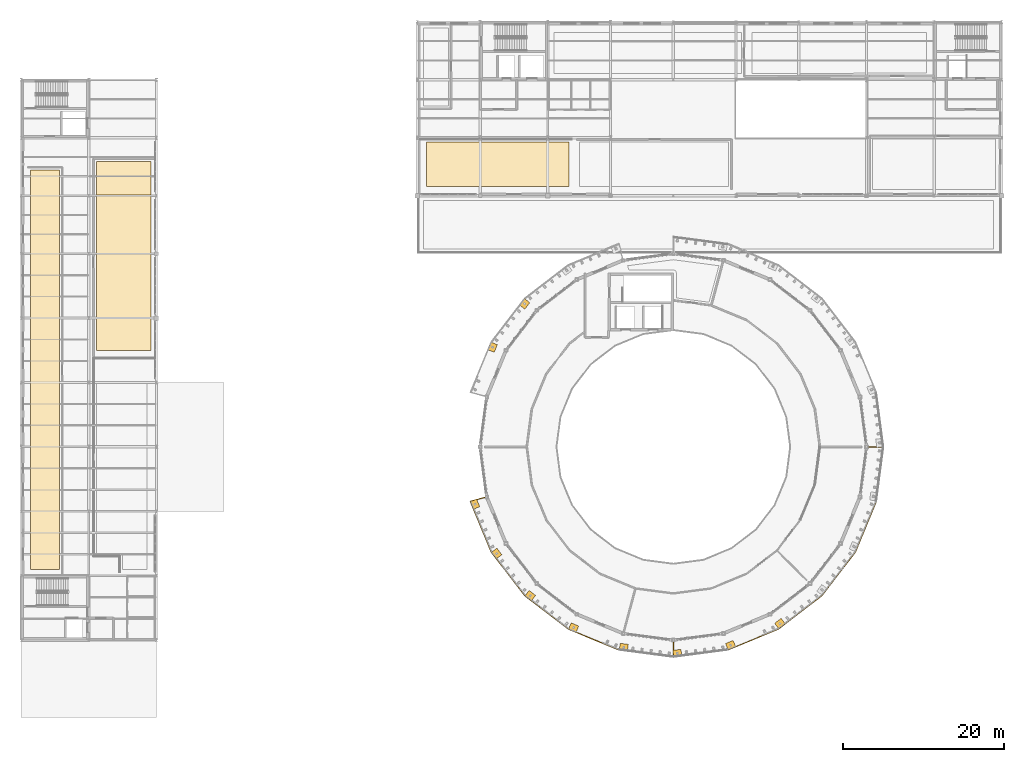
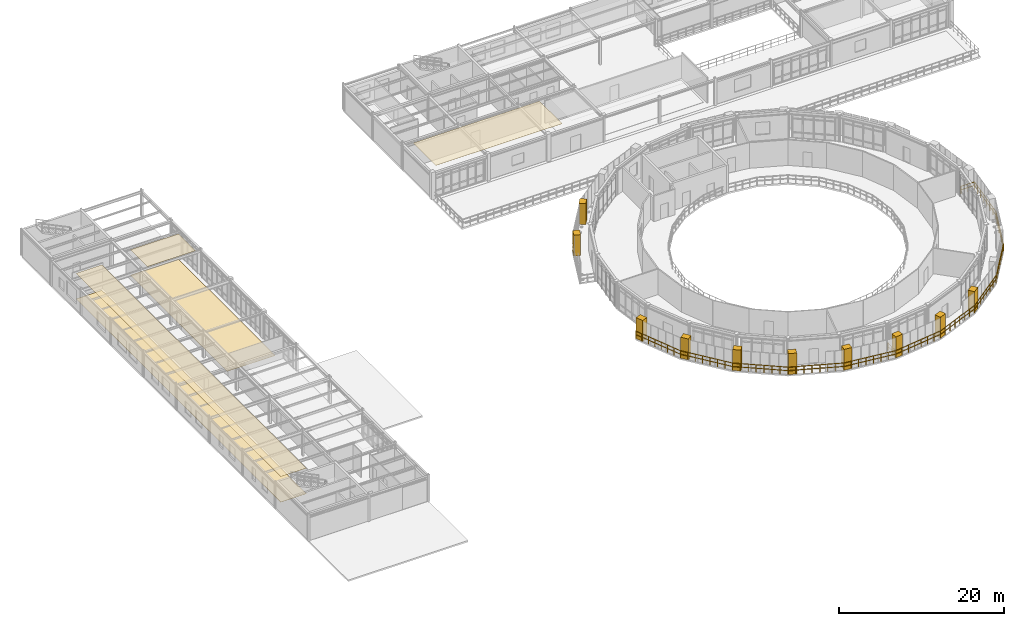
# One storey, part 52 of 58: 10 shading devices, 5 coverings, 2 railings.
"""IFC4 building model written with IfcOpenShell, lengths in metres."""

from ifc_helpers import new_model, si_unit, derived_unit, direction, frame, origin, origin_2d, place, context, subcontext, project, spatial, polyline, rectangle, circle, outline, extrude, material, layer, layer_set, type_object, element, save


model = new_model("IFC4")

# Units and contexts
model_context = context("Model", 3, precision=1e-05, world=origin(), true_north=direction((0.0, 1.0)))
body_context = subcontext(model_context, "Body", "Model", "MODEL_VIEW")
ifc_project = project(units=[si_unit("LENGTHUNIT", "METRE"), si_unit("AREAUNIT", "SQUARE_METRE"), si_unit("VOLUMEUNIT", "CUBIC_METRE"), si_unit("PLANEANGLEUNIT", "RADIAN"), si_unit("MASSUNIT", "GRAM", prefix="KILO"), derived_unit("THERMALTRANSMITTANCEUNIT", [(si_unit("POWERUNIT", "WATT"), 1), (si_unit("AREAUNIT", "SQUARE_METRE"), -1), (si_unit("THERMODYNAMICTEMPERATUREUNIT", "KELVIN"), -1)])], contexts=[model_context])

# Site, building, storey
site_placement = place(None, origin())
site = spatial("IfcSite", under=ifc_project, at=site_placement, CompositionType="ELEMENT")
building_placement = place(site_placement, origin())
building = spatial("IfcBuilding", under=site, at=building_placement, Name="Yasenodar Specialist Clinic", CompositionType="ELEMENT")
storey_placement = place(building_placement, frame((0.0, 0.0, 17.25)))
storey = spatial("IfcBuildingStorey", under=building, at=storey_placement, Name="L04", CompositionType="ELEMENT", Elevation=17.25)

# Coverings
ifc_material_1 = material(Name="Hygienic Acoustic Mineral-Fibre Ceiling")
ifc_layer_1 = layer(ifc_material_1, 0.02490234375)
ifc_layer_set_1 = layer_set([ifc_layer_1], Name="Hygienic Acoustic Mineral-Fibre Ceiling")
covering_type_1 = type_object("IfcCoveringType", Name="COV-CEIL-AC", PredefinedType="CEILING", material=ifc_layer_set_1)
covering_1_placement = place(storey_placement, frame((0.0, 0.0, 3.77490234375)))
element("IfcCovering", 1, at=covering_1_placement, inside=storey, type_object=covering_type_1, Name="L04 Dermatology Outpatient Suite Acoustic Ceiling", PredefinedType="CEILING", context=body_context, shape_type="SweptSolid", body=[
    extrude(outline(polyline([(4.75, 93.199951171875), (4.75, 43.550048828125), (1.14990234375, 43.550048828125), (1.14990234375, 93.199951171875), (4.75, 93.199951171875)])), origin(), (0.0, 0.0, 1.0), 0.025146484375),
])
covering_2_placement = place(storey_placement, frame((0.0, 0.0, 3.77490234375)))
element("IfcCovering", 2, at=covering_2_placement, inside=storey, type_object=covering_type_1, Name="L04 Women's Health Consulting Suite Acoustic Ceiling", PredefinedType="CEILING", context=body_context, shape_type="SweptSolid", body=[
    extrude(outline(polyline([(16.10009765625, 94.25), (16.10009765625, 90.10009765625), (9.35009765625, 90.10009765625), (9.35009765625, 94.25), (16.10009765625, 94.25)])), origin(), (0.0, 0.0, 1.0), 0.025146484375),
])
covering_3_placement = place(storey_placement, frame((0.0, 0.0, 3.764892578125)))
element("IfcCovering", 3, at=covering_3_placement, inside=storey, type_object=covering_type_1, Name="L04 Flow Cytometry Immunology Laboratory Acoustic Ceiling", PredefinedType="CEILING", context=body_context, shape_type="SweptSolid", body=[
    extrude(outline(polyline([(68.050048828125, 91.14990234375), (50.35009765625, 91.14990234375), (50.35009765625, 96.64990234375), (68.050048828125, 96.64990234375), (68.050048828125, 91.14990234375)])), origin(), (0.0, 0.0, 1.0), 0.025146484375),
])
ifc_material_2 = material(Name="Seamless Epoxy Terrazzo Clinical Flooring")
ifc_layer_2 = layer(ifc_material_2, 0.02001953125)
ifc_layer_set_2 = layer_set([ifc_layer_2], Name="Seamless Epoxy Terrazzo Clinical Flooring")
covering_type_2 = type_object("IfcCoveringType", Name="COV-FLR-TERR", PredefinedType="FLOORING", material=ifc_layer_set_2)
covering_4_placement = place(storey_placement, origin())
element("IfcCovering", 4, at=covering_4_placement, inside=storey, type_object=covering_type_2, Name="L04 Dermatology Outpatient Suite Terrazzo Flooring", PredefinedType="FLOORING", context=body_context, shape_type="SweptSolid", body=[
    extrude(outline(polyline([(4.75, 93.199951171875), (4.75, 43.550048828125), (1.14990234375, 43.550048828125), (1.14990234375, 93.199951171875), (4.75, 93.199951171875)])), origin(), (0.0, 0.0, 1.0), 0.02001953125),
])
covering_5_placement = place(storey_placement, origin())
element("IfcCovering", 5, at=covering_5_placement, inside=storey, type_object=covering_type_2, Name="L04 Women's Health Consulting Suite Terrazzo Flooring", PredefinedType="FLOORING", context=body_context, shape_type="SweptSolid", body=[
    extrude(outline(polyline([(16.10009765625, 94.25), (16.10009765625, 70.75), (9.35009765625, 70.75), (9.35009765625, 94.25), (16.10009765625, 94.25)])), origin(), (0.0, 0.0, 1.0), 0.02001953125),
])

# Railings
ifc_material_3 = material(Name="Bronze Anodized Aluminium and Larch Balustrade", Category="aluminium")
railing_type = type_object("IfcRailingType", Name="RL-BAL-1120", PredefinedType="BALUSTRADE", material=ifc_material_3)
railing_1_placement = place(storey_placement, frame((57.605224609375, 52.531494140625, 0.0)))
element("IfcRailing", 6, at=railing_1_placement, inside=storey, type_object=railing_type, Name="L04 Drum V1 Balcony Balustrade 3", PredefinedType="BALUSTRADE", context=body_context, shape_type="SweptSolid", body=[
    extrude(circle(Radius=0.02392578125, at=origin_2d()), frame((0.0, 0.0, 1.09619140625), z_axis=(-0.965899289485, -0.258918061502, 0.0), x_axis=(0.258918061502, -0.965899289485, 0.0)), (0.0, 0.0, 1.0), 1.89990234375),
    extrude(circle(Radius=0.02392578125, at=origin_2d()), frame((0.0, 0.0, 0.58251953125), z_axis=(-0.965899289485, -0.258918061502, 0.0), x_axis=(0.258918061502, -0.965899289485, 0.0)), (0.0, 0.0, 1.0), 1.89990234375),
    extrude(circle(Radius=0.02392578125, at=origin_2d()), frame((-1.835205078125, -0.491943359375, 1.09619140625), z_axis=(0.382684882513, -0.923878931839, 0.0), x_axis=(0.923878931839, 0.382684882513, 0.0)), (0.0, 0.0, 1.0), 6.818603515625),
    extrude(circle(Radius=0.02392578125, at=origin_2d()), frame((-1.835205078125, -0.491943359375, 0.58251953125), z_axis=(0.382684882513, -0.923878931839, 0.0), x_axis=(0.923878931839, 0.382684882513, 0.0)), (0.0, 0.0, 1.0), 6.818603515625),
    extrude(circle(Radius=0.02392578125, at=origin_2d()), frame((0.774169921875, -6.79150390625, 1.09619140625), z_axis=(0.608774242529, -0.793343507967, 0.0), x_axis=(0.793343507967, 0.608774242529, 0.0)), (0.0, 0.0, 1.0), 6.81884765625),
    extrude(circle(Radius=0.02392578125, at=origin_2d()), frame((0.774169921875, -6.79150390625, 0.58251953125), z_axis=(0.608774242529, -0.793343507967, 0.0), x_axis=(0.793343507967, 0.608774242529, 0.0)), (0.0, 0.0, 1.0), 6.81884765625),
    extrude(circle(Radius=0.02392578125, at=origin_2d()), frame((4.92529296875, -12.201171875, 1.09619140625), z_axis=(0.793347531118, -0.608768999597, 0.0), x_axis=(0.608768999597, 0.793347531118, 0.0)), (0.0, 0.0, 1.0), 6.818359375),
    extrude(circle(Radius=0.02392578125, at=origin_2d()), frame((4.92529296875, -12.201171875, 0.58251953125), z_axis=(0.793347531118, -0.608768999597, 0.0), x_axis=(0.608768999597, 0.793347531118, 0.0)), (0.0, 0.0, 1.0), 6.818359375),
    extrude(circle(Radius=0.02392578125, at=origin_2d()), frame((10.334716796875, -16.35205078125, 1.09619140625), z_axis=(0.923878931839, -0.382684882513, 0.0), x_axis=(0.382684882513, 0.923878931839, 0.0)), (0.0, 0.0, 1.0), 6.818603515625),
    extrude(circle(Radius=0.02392578125, at=origin_2d()), frame((10.334716796875, -16.35205078125, 0.58251953125), z_axis=(0.923878931839, -0.382684882513, 0.0), x_axis=(0.382684882513, 0.923878931839, 0.0)), (0.0, 0.0, 1.0), 6.818603515625),
    extrude(circle(Radius=0.02392578125, at=origin_2d()), frame((16.63427734375, -18.96142578125, 1.09619140625), z_axis=(0.9914429584, -0.130540645926, 0.0), x_axis=(0.130540645926, 0.9914429584, 0.0)), (0.0, 0.0, 1.0), 6.81884765625),
    extrude(circle(Radius=0.02392578125, at=origin_2d()), frame((16.63427734375, -18.96142578125, 0.58251953125), z_axis=(0.9914429584, -0.130540645926, 0.0), x_axis=(0.130540645926, 0.9914429584, 0.0)), (0.0, 0.0, 1.0), 6.81884765625),
    extrude(circle(Radius=0.02392578125, at=origin_2d()), frame((23.394775390625, -19.8515625, 1.09619140625), z_axis=(0.0, 1.0, 0.0), x_axis=(-1.0, 0.0, 0.0)), (0.0, 0.0, 1.0), 1.900146484375),
    extrude(circle(Radius=0.02392578125, at=origin_2d()), frame((23.394775390625, -19.8515625, 0.58251953125), z_axis=(0.0, 1.0, 0.0), x_axis=(-1.0, 0.0, 0.0)), (0.0, 0.0, 1.0), 1.900146484375),
    extrude(circle(Radius=0.02099609375, at=origin_2d()), origin(), (0.0, 0.0, 1.0), 1.072021484375),
    extrude(circle(Radius=0.02099609375, at=origin_2d()), frame((-0.91748046875, -0.24609375, 0.0)), (0.0, 0.0, 1.0), 1.072021484375),
    extrude(circle(Radius=0.02099609375, at=origin_2d()), frame((-1.835205078125, -0.491943359375, 0.0)), (0.0, 0.0, 1.0), 1.072021484375),
    extrude(circle(Radius=0.02099609375, at=origin_2d()), frame((-1.46240234375, -1.391845703125, 0.0)), (0.0, 0.0, 1.0), 1.072021484375),
    extrude(circle(Radius=0.02099609375, at=origin_2d()), frame((-1.089599609375, -2.291748046875, 0.0)), (0.0, 0.0, 1.0), 1.072021484375),
    extrude(circle(Radius=0.02099609375, at=origin_2d()), frame((-0.716796875, -3.191650390625, 0.0)), (0.0, 0.0, 1.0), 1.072021484375),
    extrude(circle(Radius=0.02099609375, at=origin_2d()), frame((-0.34423828125, -4.091796875, 0.0)), (0.0, 0.0, 1.0), 1.072021484375),
    extrude(circle(Radius=0.02099609375, at=origin_2d()), frame((0.028564453125, -4.99169921875, 0.0)), (0.0, 0.0, 1.0), 1.072021484375),
    extrude(circle(Radius=0.02099609375, at=origin_2d()), frame((0.4013671875, -5.8916015625, 0.0)), (0.0, 0.0, 1.0), 1.072021484375),
    extrude(circle(Radius=0.02099609375, at=origin_2d()), frame((0.774169921875, -6.79150390625, 0.0)), (0.0, 0.0, 1.0), 1.072021484375),
    extrude(circle(Radius=0.02099609375, at=origin_2d()), frame((1.3671875, -7.564208984375, 0.0)), (0.0, 0.0, 1.0), 1.072021484375),
    extrude(circle(Radius=0.02099609375, at=origin_2d()), frame((1.960205078125, -8.337158203125, 0.0)), (0.0, 0.0, 1.0), 1.072021484375),
    extrude(circle(Radius=0.02099609375, at=origin_2d()), frame((2.55322265625, -9.10986328125, 0.0)), (0.0, 0.0, 1.0), 1.072021484375),
    extrude(circle(Radius=0.02099609375, at=origin_2d()), frame((3.146240234375, -9.8828125, 0.0)), (0.0, 0.0, 1.0), 1.072021484375),
    extrude(circle(Radius=0.02099609375, at=origin_2d()), frame((3.7392578125, -10.655517578125, 0.0)), (0.0, 0.0, 1.0), 1.072021484375),
    extrude(circle(Radius=0.02099609375, at=origin_2d()), frame((4.332275390625, -11.428466796875, 0.0)), (0.0, 0.0, 1.0), 1.072021484375),
    extrude(circle(Radius=0.02099609375, at=origin_2d()), frame((4.92529296875, -12.201171875, 0.0)), (0.0, 0.0, 1.0), 1.072021484375),
    extrude(circle(Radius=0.02099609375, at=origin_2d()), frame((5.697998046875, -12.794189453125, 0.0)), (0.0, 0.0, 1.0), 1.072021484375),
    extrude(circle(Radius=0.02099609375, at=origin_2d()), frame((6.470947265625, -13.38720703125, 0.0)), (0.0, 0.0, 1.0), 1.072021484375),
    extrude(circle(Radius=0.02099609375, at=origin_2d()), frame((7.24365234375, -13.980224609375, 0.0)), (0.0, 0.0, 1.0), 1.072021484375),
    extrude(circle(Radius=0.02099609375, at=origin_2d()), frame((8.016357421875, -14.572998046875, 0.0)), (0.0, 0.0, 1.0), 1.072021484375),
    extrude(circle(Radius=0.02099609375, at=origin_2d()), frame((8.7890625, -15.166015625, 0.0)), (0.0, 0.0, 1.0), 1.072021484375),
    extrude(circle(Radius=0.02099609375, at=origin_2d()), frame((9.56201171875, -15.759033203125, 0.0)), (0.0, 0.0, 1.0), 1.072021484375),
    extrude(circle(Radius=0.02099609375, at=origin_2d()), frame((10.334716796875, -16.35205078125, 0.0)), (0.0, 0.0, 1.0), 1.072021484375),
    extrude(circle(Radius=0.02099609375, at=origin_2d()), frame((11.234619140625, -16.724853515625, 0.0)), (0.0, 0.0, 1.0), 1.072021484375),
    extrude(circle(Radius=0.02099609375, at=origin_2d()), frame((12.134521484375, -17.09765625, 0.0)), (0.0, 0.0, 1.0), 1.072021484375),
    extrude(circle(Radius=0.02099609375, at=origin_2d()), frame((13.034423828125, -17.470458984375, 0.0)), (0.0, 0.0, 1.0), 1.072021484375),
    extrude(circle(Radius=0.02099609375, at=origin_2d()), frame((13.9345703125, -17.843017578125, 0.0)), (0.0, 0.0, 1.0), 1.072021484375),
    extrude(circle(Radius=0.02099609375, at=origin_2d()), frame((14.83447265625, -18.2158203125, 0.0)), (0.0, 0.0, 1.0), 1.072021484375),
    extrude(circle(Radius=0.02099609375, at=origin_2d()), frame((15.734375, -18.588623046875, 0.0)), (0.0, 0.0, 1.0), 1.072021484375),
    extrude(circle(Radius=0.02099609375, at=origin_2d()), frame((16.63427734375, -18.96142578125, 0.0)), (0.0, 0.0, 1.0), 1.072021484375),
    extrude(circle(Radius=0.02099609375, at=origin_2d()), frame((17.60009765625, -19.088623046875, 0.0)), (0.0, 0.0, 1.0), 1.072021484375),
    extrude(circle(Radius=0.02099609375, at=origin_2d()), frame((18.56591796875, -19.2158203125, 0.0)), (0.0, 0.0, 1.0), 1.072021484375),
    extrude(circle(Radius=0.02099609375, at=origin_2d()), frame((19.53173828125, -19.343017578125, 0.0)), (0.0, 0.0, 1.0), 1.072021484375),
    extrude(circle(Radius=0.02099609375, at=origin_2d()), frame((20.497314453125, -19.469970703125, 0.0)), (0.0, 0.0, 1.0), 1.072021484375),
    extrude(circle(Radius=0.02099609375, at=origin_2d()), frame((21.463134765625, -19.59716796875, 0.0)), (0.0, 0.0, 1.0), 1.072021484375),
    extrude(circle(Radius=0.02099609375, at=origin_2d()), frame((22.428955078125, -19.724365234375, 0.0)), (0.0, 0.0, 1.0), 1.072021484375),
    extrude(circle(Radius=0.02099609375, at=origin_2d()), frame((23.394775390625, -19.8515625, 0.0)), (0.0, 0.0, 1.0), 1.072021484375),
    extrude(circle(Radius=0.02099609375, at=origin_2d()), frame((23.394775390625, -18.9013671875, 0.0)), (0.0, 0.0, 1.0), 1.072021484375),
    extrude(circle(Radius=0.02099609375, at=origin_2d()), frame((23.394775390625, -17.951416015625, 0.0)), (0.0, 0.0, 1.0), 1.072021484375),
])
railing_2_placement = place(storey_placement, frame((81.0, 34.580078125, 0.0)))
element("IfcRailing", 7, at=railing_2_placement, inside=storey, type_object=railing_type, Name="L04 Drum V1 Balcony Balustrade 4", PredefinedType="BALUSTRADE", context=body_context, shape_type="SweptSolid", body=[
    extrude(circle(Radius=0.02392578125, at=origin_2d()), frame((0.0, 0.0, 1.09619140625), z_axis=(0.0, -1.0, 0.0), x_axis=(1.0, 0.0, 0.0)), (0.0, 0.0, 1.0), 1.900146484375),
    extrude(circle(Radius=0.02392578125, at=origin_2d()), frame((0.0, 0.0, 0.58251953125), z_axis=(0.0, -1.0, 0.0), x_axis=(1.0, 0.0, 0.0)), (0.0, 0.0, 1.0), 1.900146484375),
    extrude(circle(Radius=0.02392578125, at=origin_2d()), frame((0.0, -1.900146484375, 1.09619140625), z_axis=(0.9914429584, 0.130540645926, 0.0), x_axis=(-0.130540645926, 0.9914429584, 0.0)), (0.0, 0.0, 1.0), 6.81884765625),
    extrude(circle(Radius=0.02392578125, at=origin_2d()), frame((0.0, -1.900146484375, 0.58251953125), z_axis=(0.9914429584, 0.130540645926, 0.0), x_axis=(-0.130540645926, 0.9914429584, 0.0)), (0.0, 0.0, 1.0), 6.81884765625),
    extrude(circle(Radius=0.02392578125, at=origin_2d()), frame((6.760498046875, -1.010009765625, 1.09619140625), z_axis=(0.923878931839, 0.382684882513, 0.0), x_axis=(-0.382684882513, 0.923878931839, 0.0)), (0.0, 0.0, 1.0), 6.818603515625),
    extrude(circle(Radius=0.02392578125, at=origin_2d()), frame((6.760498046875, -1.010009765625, 0.58251953125), z_axis=(0.923878931839, 0.382684882513, 0.0), x_axis=(-0.382684882513, 0.923878931839, 0.0)), (0.0, 0.0, 1.0), 6.818603515625),
    extrude(circle(Radius=0.02392578125, at=origin_2d()), frame((13.06005859375, 1.599365234375, 1.09619140625), z_axis=(0.793347531118, 0.608768999597, 0.0), x_axis=(-0.608768999597, 0.793347531118, 0.0)), (0.0, 0.0, 1.0), 6.818359375),
    extrude(circle(Radius=0.02392578125, at=origin_2d()), frame((13.06005859375, 1.599365234375, 0.58251953125), z_axis=(0.793347531118, 0.608768999597, 0.0), x_axis=(-0.608768999597, 0.793347531118, 0.0)), (0.0, 0.0, 1.0), 6.818359375),
    extrude(circle(Radius=0.02392578125, at=origin_2d()), frame((18.469482421875, 5.750244140625, 1.09619140625), z_axis=(0.608774242529, 0.793343507967, 0.0), x_axis=(-0.793343507967, 0.608774242529, 0.0)), (0.0, 0.0, 1.0), 6.81884765625),
    extrude(circle(Radius=0.02392578125, at=origin_2d()), frame((18.469482421875, 5.750244140625, 0.58251953125), z_axis=(0.608774242529, 0.793343507967, 0.0), x_axis=(-0.793343507967, 0.608774242529, 0.0)), (0.0, 0.0, 1.0), 6.81884765625),
    extrude(circle(Radius=0.02392578125, at=origin_2d()), frame((22.62060546875, 11.159912109375, 1.09619140625), z_axis=(0.382684882513, 0.923878931839, 0.0), x_axis=(-0.923878931839, 0.382684882513, 0.0)), (0.0, 0.0, 1.0), 6.818603515625),
    extrude(circle(Radius=0.02392578125, at=origin_2d()), frame((22.62060546875, 11.159912109375, 0.58251953125), z_axis=(0.382684882513, 0.923878931839, 0.0), x_axis=(-0.923878931839, 0.382684882513, 0.0)), (0.0, 0.0, 1.0), 6.818603515625),
    extrude(circle(Radius=0.02392578125, at=origin_2d()), frame((25.22998046875, 17.45947265625, 1.09619140625), z_axis=(0.130540645926, 0.9914429584, 0.0), x_axis=(-0.9914429584, 0.130540645926, 0.0)), (0.0, 0.0, 1.0), 6.81884765625),
    extrude(circle(Radius=0.02392578125, at=origin_2d()), frame((25.22998046875, 17.45947265625, 0.58251953125), z_axis=(0.130540645926, 0.9914429584, 0.0), x_axis=(-0.9914429584, 0.130540645926, 0.0)), (0.0, 0.0, 1.0), 6.81884765625),
    extrude(circle(Radius=0.02392578125, at=origin_2d()), frame((26.1201171875, 24.219970703125, 1.09619140625), z_axis=(-1.0, 0.0, 0.0), x_axis=(0.0, -1.0, 0.0)), (0.0, 0.0, 1.0), 1.900146484375),
    extrude(circle(Radius=0.02392578125, at=origin_2d()), frame((26.1201171875, 24.219970703125, 0.58251953125), z_axis=(-1.0, 0.0, 0.0), x_axis=(0.0, -1.0, 0.0)), (0.0, 0.0, 1.0), 1.900146484375),
    extrude(circle(Radius=0.02099609375, at=origin_2d()), origin(), (0.0, 0.0, 1.0), 1.072021484375),
    extrude(circle(Radius=0.02099609375, at=origin_2d()), frame((0.0, -0.9501953125, 0.0)), (0.0, 0.0, 1.0), 1.072021484375),
    extrude(circle(Radius=0.02099609375, at=origin_2d()), frame((0.0, -1.900146484375, 0.0)), (0.0, 0.0, 1.0), 1.072021484375),
    extrude(circle(Radius=0.02099609375, at=origin_2d()), frame((0.9658203125, -1.77294921875, 0.0)), (0.0, 0.0, 1.0), 1.072021484375),
    extrude(circle(Radius=0.02099609375, at=origin_2d()), frame((1.931640625, -1.645751953125, 0.0)), (0.0, 0.0, 1.0), 1.072021484375),
    extrude(circle(Radius=0.02099609375, at=origin_2d()), frame((2.8974609375, -1.5185546875, 0.0)), (0.0, 0.0, 1.0), 1.072021484375),
    extrude(circle(Radius=0.02099609375, at=origin_2d()), frame((3.863037109375, -1.3916015625, 0.0)), (0.0, 0.0, 1.0), 1.072021484375),
    extrude(circle(Radius=0.02099609375, at=origin_2d()), frame((4.828857421875, -1.264404296875, 0.0)), (0.0, 0.0, 1.0), 1.072021484375),
    extrude(circle(Radius=0.02099609375, at=origin_2d()), frame((5.794677734375, -1.13720703125, 0.0)), (0.0, 0.0, 1.0), 1.072021484375),
    extrude(circle(Radius=0.02099609375, at=origin_2d()), frame((6.760498046875, -1.010009765625, 0.0)), (0.0, 0.0, 1.0), 1.072021484375),
    extrude(circle(Radius=0.02099609375, at=origin_2d()), frame((7.660400390625, -0.63720703125, 0.0)), (0.0, 0.0, 1.0), 1.072021484375),
    extrude(circle(Radius=0.02099609375, at=origin_2d()), frame((8.560302734375, -0.264404296875, 0.0)), (0.0, 0.0, 1.0), 1.072021484375),
    extrude(circle(Radius=0.02099609375, at=origin_2d()), frame((9.460205078125, 0.1083984375, 0.0)), (0.0, 0.0, 1.0), 1.072021484375),
    extrude(circle(Radius=0.02099609375, at=origin_2d()), frame((10.3603515625, 0.48095703125, 0.0)), (0.0, 0.0, 1.0), 1.072021484375),
    extrude(circle(Radius=0.02099609375, at=origin_2d()), frame((11.26025390625, 0.853759765625, 0.0)), (0.0, 0.0, 1.0), 1.072021484375),
    extrude(circle(Radius=0.02099609375, at=origin_2d()), frame((12.16015625, 1.2265625, 0.0)), (0.0, 0.0, 1.0), 1.072021484375),
    extrude(circle(Radius=0.02099609375, at=origin_2d()), frame((13.06005859375, 1.599365234375, 0.0)), (0.0, 0.0, 1.0), 1.072021484375),
    extrude(circle(Radius=0.02099609375, at=origin_2d()), frame((13.832763671875, 2.1923828125, 0.0)), (0.0, 0.0, 1.0), 1.072021484375),
    extrude(circle(Radius=0.02099609375, at=origin_2d()), frame((14.605712890625, 2.785400390625, 0.0)), (0.0, 0.0, 1.0), 1.072021484375),
    extrude(circle(Radius=0.02099609375, at=origin_2d()), frame((15.37841796875, 3.37841796875, 0.0)), (0.0, 0.0, 1.0), 1.072021484375),
    extrude(circle(Radius=0.02099609375, at=origin_2d()), frame((16.151123046875, 3.97119140625, 0.0)), (0.0, 0.0, 1.0), 1.072021484375),
    extrude(circle(Radius=0.02099609375, at=origin_2d()), frame((16.923828125, 4.564208984375, 0.0)), (0.0, 0.0, 1.0), 1.072021484375),
    extrude(circle(Radius=0.02099609375, at=origin_2d()), frame((17.69677734375, 5.1572265625, 0.0)), (0.0, 0.0, 1.0), 1.072021484375),
    extrude(circle(Radius=0.02099609375, at=origin_2d()), frame((18.469482421875, 5.750244140625, 0.0)), (0.0, 0.0, 1.0), 1.072021484375),
    extrude(circle(Radius=0.02099609375, at=origin_2d()), frame((19.0625, 6.52294921875, 0.0)), (0.0, 0.0, 1.0), 1.072021484375),
    extrude(circle(Radius=0.02099609375, at=origin_2d()), frame((19.655517578125, 7.2958984375, 0.0)), (0.0, 0.0, 1.0), 1.072021484375),
    extrude(circle(Radius=0.02099609375, at=origin_2d()), frame((20.24853515625, 8.068603515625, 0.0)), (0.0, 0.0, 1.0), 1.072021484375),
    extrude(circle(Radius=0.02099609375, at=origin_2d()), frame((20.841552734375, 8.841552734375, 0.0)), (0.0, 0.0, 1.0), 1.072021484375),
    extrude(circle(Radius=0.02099609375, at=origin_2d()), frame((21.4345703125, 9.6142578125, 0.0)), (0.0, 0.0, 1.0), 1.072021484375),
    extrude(circle(Radius=0.02099609375, at=origin_2d()), frame((22.027587890625, 10.38720703125, 0.0)), (0.0, 0.0, 1.0), 1.072021484375),
    extrude(circle(Radius=0.02099609375, at=origin_2d()), frame((22.62060546875, 11.159912109375, 0.0)), (0.0, 0.0, 1.0), 1.072021484375),
    extrude(circle(Radius=0.02099609375, at=origin_2d()), frame((22.993408203125, 12.059814453125, 0.0)), (0.0, 0.0, 1.0), 1.072021484375),
    extrude(circle(Radius=0.02099609375, at=origin_2d()), frame((23.3662109375, 12.959716796875, 0.0)), (0.0, 0.0, 1.0), 1.072021484375),
    extrude(circle(Radius=0.02099609375, at=origin_2d()), frame((23.739013671875, 13.859619140625, 0.0)), (0.0, 0.0, 1.0), 1.072021484375),
    extrude(circle(Radius=0.02099609375, at=origin_2d()), frame((24.111572265625, 14.759765625, 0.0)), (0.0, 0.0, 1.0), 1.072021484375),
    extrude(circle(Radius=0.02099609375, at=origin_2d()), frame((24.484375, 15.65966796875, 0.0)), (0.0, 0.0, 1.0), 1.072021484375),
    extrude(circle(Radius=0.02099609375, at=origin_2d()), frame((24.857177734375, 16.5595703125, 0.0)), (0.0, 0.0, 1.0), 1.072021484375),
    extrude(circle(Radius=0.02099609375, at=origin_2d()), frame((25.22998046875, 17.45947265625, 0.0)), (0.0, 0.0, 1.0), 1.072021484375),
    extrude(circle(Radius=0.02099609375, at=origin_2d()), frame((25.357177734375, 18.42529296875, 0.0)), (0.0, 0.0, 1.0), 1.072021484375),
    extrude(circle(Radius=0.02099609375, at=origin_2d()), frame((25.484375, 19.39111328125, 0.0)), (0.0, 0.0, 1.0), 1.072021484375),
    extrude(circle(Radius=0.02099609375, at=origin_2d()), frame((25.611572265625, 20.35693359375, 0.0)), (0.0, 0.0, 1.0), 1.072021484375),
    extrude(circle(Radius=0.02099609375, at=origin_2d()), frame((25.738525390625, 21.322509765625, 0.0)), (0.0, 0.0, 1.0), 1.072021484375),
    extrude(circle(Radius=0.02099609375, at=origin_2d()), frame((25.86572265625, 22.288330078125, 0.0)), (0.0, 0.0, 1.0), 1.072021484375),
    extrude(circle(Radius=0.02099609375, at=origin_2d()), frame((25.992919921875, 23.254150390625, 0.0)), (0.0, 0.0, 1.0), 1.072021484375),
    extrude(circle(Radius=0.02099609375, at=origin_2d()), frame((26.1201171875, 24.219970703125, 0.0)), (0.0, 0.0, 1.0), 1.072021484375),
    extrude(circle(Radius=0.02099609375, at=origin_2d()), frame((25.169921875, 24.219970703125, 0.0)), (0.0, 0.0, 1.0), 1.072021484375),
    extrude(circle(Radius=0.02099609375, at=origin_2d()), frame((24.219970703125, 24.219970703125, 0.0)), (0.0, 0.0, 1.0), 1.072021484375),
])

# Shading devices
ifc_material_4 = material(Name="Thermally Modified Larch and Bronze Girih Jali Shutter")
shading_device_type = type_object("IfcShadingDeviceType", Name="SHD-JALI-850", PredefinedType="SHUTTER", material=ifc_material_4)
for number, where, z_axis, x_axis, name in (
    (8, (62.5234375, 76.569580078125, -0.005126953125), (0.0, 0.0, 1.0), (-0.608764217148, -0.793351200869, 0.0), "L04 Mughal Girih Jali Sliding Shutter Frame 0376"),
    (9, (58.553955078125, 71.18212890625, -0.005126953125), (0.0, 0.0, 1.0), (-0.382686667195, -0.923878192594, 0.0), "L04 Mughal Girih Jali Sliding Shutter Frame 0382"),
    (10, (56.372802734375, 51.68359375, -0.005126953125), (0.0, 0.0, 1.0), (0.382686667195, -0.923878192594, 0.0), "L04 Mughal Girih Jali Sliding Shutter Frame 0385"),
    (11, (59.0537109375, 45.55224609375, -0.005126953125), (0.0, 0.0, 1.0), (0.608764217148, -0.793351200869, 0.0), "L04 Mughal Girih Jali Sliding Shutter Frame 0391"),
    (12, (63.23046875, 40.323486328125, -0.005126953125), (0.0, 0.0, 1.0), (0.793351200869, -0.608764217148, 0.0), "L04 Mughal Girih Jali Sliding Shutter Frame 0397"),
    (13, (68.617919921875, 36.35400390625, -0.005126953125), (0.0, 0.0, 1.0), (0.923878192594, -0.382686667195, 0.0), "L04 Mughal Girih Jali Sliding Shutter Frame 0403"),
    (14, (74.849365234375, 33.9140625, -0.005126953125), (0.0, 0.0, 1.0), (0.991445783754, -0.130519185854, 0.0), "L04 Mughal Girih Jali Sliding Shutter Frame 0406"),
    (15, (81.499755859375, 33.170166015625, -0.005126953125), (0.0, 0.0, 1.0), (0.991445783754, 0.130519185854, 0.0), "L04 Mughal Girih Jali Sliding Shutter Frame 0412"),
    (16, (88.1162109375, 34.1728515625, -0.005126953125), (0.0, 0.0, 1.0), (0.923878192594, 0.382686667195, 0.0), "L04 Mughal Girih Jali Sliding Shutter Frame 0418"),
    (17, (94.247802734375, 36.853759765625, -0.005126953125), (0.0, 0.0, 1.0), (0.793351200869, 0.608764217148, 0.0), "L04 Mughal Girih Jali Sliding Shutter Frame 0421"),
):
    element("IfcShadingDevice", number, at=place(storey_placement, frame(where, z_axis=z_axis, x_axis=x_axis)), inside=storey, type_object=shading_device_type, Name=name, PredefinedType="SHUTTER", context=body_context, shape_type="SweptSolid", body=[
        extrude(rectangle(XDim=1.02001953125, YDim=0.85009765625, at=origin_2d()), origin(), (0.0, 0.0, 1.0), 3.10009765625),
    ])

save(model, "model.ifc")
